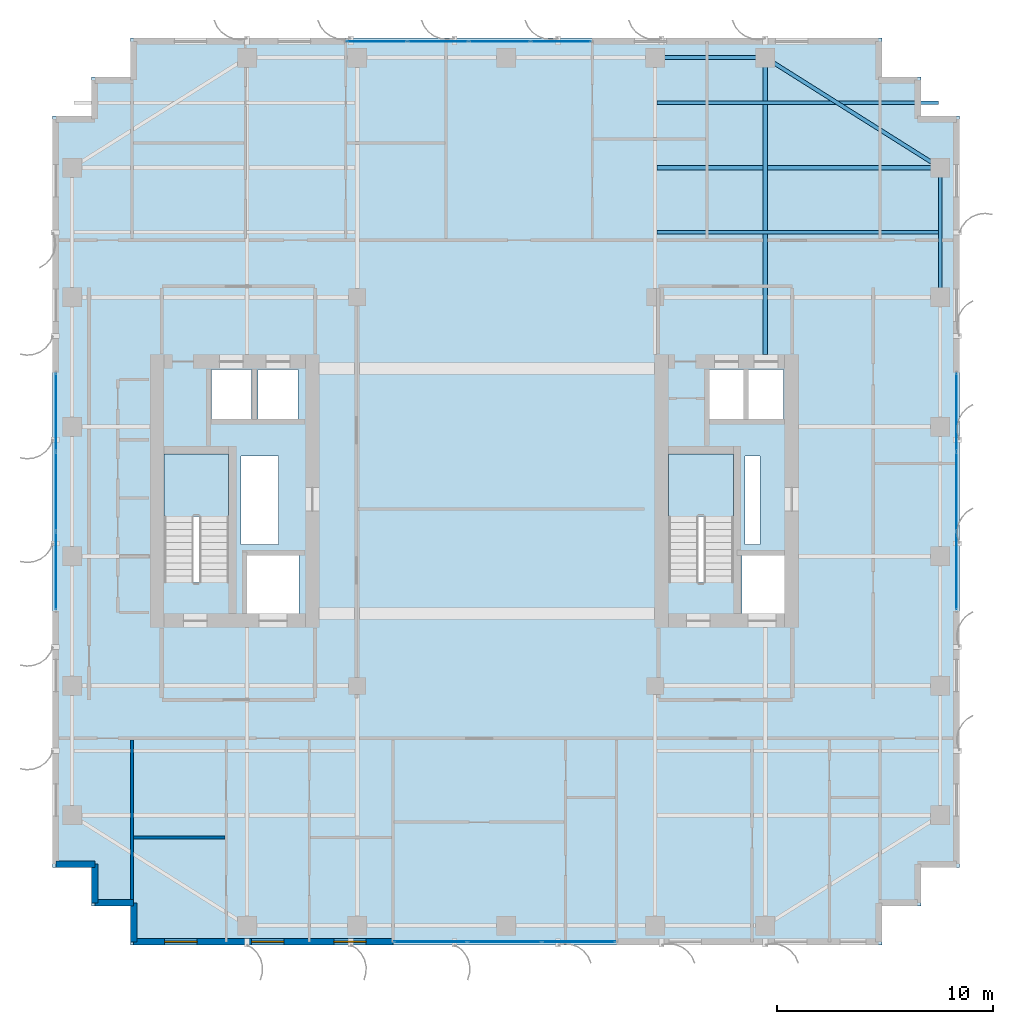
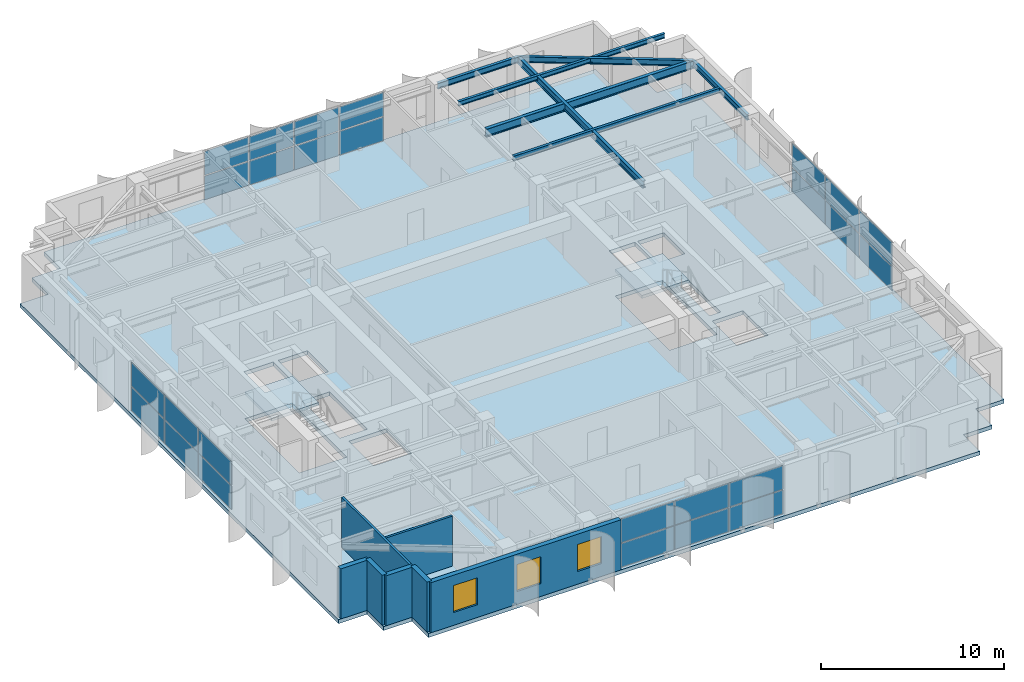
# One storey, part 14 of 22: 26 plates, 7 beams, 7 walls, 3 slabs, 3 windows, 3 openings, 6 elements without a shape of their own.
"""IFC4 building model written with IfcOpenShell, lengths in metres."""

from ifc_helpers import new_model, si_unit, direction, frame, frame_2d, origin, origin_2d, place, context, subcontext, project, spatial, polyline, rectangle, i_section, outline, extrude, source, transform, mapped, material, layer, layer_set, material_profile, profile_set, type_object, element, fill, aggregate, save


model = new_model("IFC4")

# Units and contexts
model_context = context("Model", 3, precision=1e-05, world=origin(), true_north=direction((0.0, 1.0)))
body_context = subcontext(model_context, "Body", "Model", "MODEL_VIEW")
ifc_project = project(units=[si_unit("LENGTHUNIT", "METRE"), si_unit("AREAUNIT", "SQUARE_METRE"), si_unit("VOLUMEUNIT", "CUBIC_METRE"), si_unit("PLANEANGLEUNIT", "RADIAN"), si_unit("MASSUNIT", "GRAM", prefix="KILO")], contexts=[model_context])

# Site, building, storey
site_placement = place(None, origin())
site = spatial("IfcSite", under=ifc_project, at=site_placement, CompositionType="ELEMENT")
building_placement = place(site_placement, origin())
building = spatial("IfcBuilding", under=site, at=building_placement, Name="Khoralis Quay Care Tower", CompositionType="ELEMENT")
storey_placement = place(building_placement, frame((0.0, 0.0, 180.89990234375)))
storey = spatial("IfcBuildingStorey", under=building, at=storey_placement, Name="L47", CompositionType="ELEMENT", Elevation=180.89990234375)

# Beams
ifc_material_1 = material(Name="Steel S355", Category="steel")
ifc_material_profile_1 = material_profile(ifc_material_1, i_section(OverallWidth=0.179931640625, OverallDepth=0.39990234375, WebThickness=0.008544921875, FlangeThickness=0.013427734375, FilletRadius=0.02099609375, at=origin_2d()), Name="Steel S355")
ifc_profile_set_1 = profile_set([ifc_material_profile_1], Name="Steel S355")
beam_type_1 = type_object("IfcBeamType", Name="BM-IPE400", PredefinedType="SPANDREL", material=ifc_profile_set_1)
shared_shape_1 = source(origin(), body_context, "Body", "SweptSolid", [
    extrude(i_section(OverallWidth=0.179931640625, OverallDepth=0.39990234375, WebThickness=0.008544921875, FlangeThickness=0.013427734375, FilletRadius=0.02099609375, at=origin_2d()), origin(), (0.0, 0.0, 1.0), 6.0),
])
beam_1_placement = place(storey_placement, frame((44.10009765625, 30.0, 3.14013671875), z_axis=(0.0, 1.0, 0.0), x_axis=(-1.0, 0.0, 0.0)))
element("IfcBeam", 1, at=beam_1_placement, inside=storey, type_object=beam_type_1, Name="BM-TSP-L47-18", PredefinedType="SPANDREL", context=body_context, shape_type="MappedRepresentation", body=[
    mapped(shared_shape_1, transform((0.0, 0.0, 0.0), scale=1.0)),
])
shared_shape_2 = source(origin(), body_context, "Body", "SweptSolid", [
    extrude(i_section(OverallWidth=0.179931640625, OverallDepth=0.39990234375, WebThickness=0.008544921875, FlangeThickness=0.013427734375, FilletRadius=0.02099609375, at=origin_2d()), origin(), (0.0, 0.0, 1.0), 5.10009765625),
])
beam_2_placement = place(storey_placement, frame((30.89990234375, 41.10009765625, 3.14013671875), z_axis=(1.0, 0.0, 0.0), x_axis=(0.0, 1.0, 0.0)))
element("IfcBeam", 2, at=beam_2_placement, inside=storey, type_object=beam_type_1, Name="BM-TSP-L47-08", PredefinedType="SPANDREL", context=body_context, shape_type="MappedRepresentation", body=[
    mapped(shared_shape_2, transform((0.0, 0.0, 0.0), scale=1.0)),
])
shared_shape_3 = source(origin(), body_context, "Body", "SweptSolid", [
    extrude(i_section(OverallWidth=0.179931640625, OverallDepth=0.39990234375, WebThickness=0.008544921875, FlangeThickness=0.013427734375, FilletRadius=0.02099609375, at=origin_2d()), origin(), (0.0, 0.0, 1.0), 9.572021484375),
])
beam_3_placement = place(storey_placement, frame((36.0, 41.10009765625, 3.14013671875), z_axis=(0.846231136359, -0.532815975602, 0.0), x_axis=(0.532815975602, 0.846231136359, 0.0)))
element("IfcBeam", 3, at=beam_3_placement, inside=storey, type_object=beam_type_1, Name="BM-TCR-L47-22", PredefinedType="SPANDREL", context=body_context, shape_type="MappedRepresentation", body=[
    mapped(shared_shape_3, transform((0.0, 0.0, 0.0), scale=1.0)),
])
ifc_material_profile_2 = material_profile(ifc_material_1, i_section(OverallWidth=0.208984375, OverallDepth=0.532958984375, WebThickness=0.01025390625, FlangeThickness=0.015625, FilletRadius=0.01611328125, at=origin_2d()), Name="Steel S355")
ifc_profile_set_2 = profile_set([ifc_material_profile_2], Name="Steel S355")
beam_type_2 = type_object("IfcBeamType", Name="BM-W530X92", PredefinedType="BEAM", material=ifc_profile_set_2)
shared_shape_4 = source(origin(), body_context, "Body", "SweptSolid", [
    extrude(i_section(OverallWidth=0.208984375, OverallDepth=0.532958984375, WebThickness=0.01025390625, FlangeThickness=0.015625, FilletRadius=0.01611328125, at=origin_2d()), origin(), (0.0, 0.0, 1.0), 13.1162109375),
])
beam_4_placement = place(storey_placement, frame((30.98388671875, 36.0, 3.073486328125), z_axis=(1.0, 0.0, 0.0), x_axis=(0.0, 1.0, 0.0)))
element("IfcBeam", 4, at=beam_4_placement, inside=storey, type_object=beam_type_2, Name="BM-TGXE-L47-360", PredefinedType="BEAM", context=body_context, shape_type="MappedRepresentation", body=[
    mapped(shared_shape_4, transform((0.0, 0.0, 0.0), scale=1.0)),
])
ifc_material_profile_3 = material_profile(ifc_material_1, i_section(OverallWidth=0.19189453125, OverallDepth=0.462890625, WebThickness=0.010498046875, FlangeThickness=0.017578125, FilletRadius=0.014892578125, at=origin_2d()), Name="Steel S355")
ifc_profile_set_3 = profile_set([ifc_material_profile_3], Name="Steel S355")
beam_type_3 = type_object("IfcBeamType", Name="BM-W460X89", PredefinedType="BEAM", material=ifc_profile_set_3)
shared_shape_5 = source(origin(), body_context, "Body", "SweptSolid", [
    extrude(i_section(OverallWidth=0.19189453125, OverallDepth=0.462890625, WebThickness=0.010498046875, FlangeThickness=0.017578125, FilletRadius=0.014892578125, at=origin_2d()), origin(), (0.0, 0.0, 1.0), 13.752197265625),
])
beam_5_placement = place(storey_placement, frame((36.0, 27.347900390625, 3.108642578125), z_axis=(0.0, 1.0, 0.0), x_axis=(-1.0, 0.0, 0.0)))
element("IfcBeam", 5, at=beam_5_placement, inside=storey, type_object=beam_type_3, Name="BM-TGYN-L47-360", PredefinedType="BEAM", context=body_context, shape_type="MappedRepresentation", body=[
    mapped(shared_shape_5, transform((0.0, 0.0, 0.0), scale=1.0)),
])
ifc_material_profile_4 = material_profile(ifc_material_1, i_section(OverallWidth=0.1650390625, OverallDepth=0.31005859375, WebThickness=0.005859375, FlangeThickness=0.009765625, FilletRadius=0.011962890625, at=origin_2d()), Name="Steel S355")
ifc_profile_set_4 = profile_set([ifc_material_profile_4], Name="Steel S355")
beam_type_4 = type_object("IfcBeamType", Name="BM-W310X39", PredefinedType="JOIST", material=ifc_profile_set_4)
shared_shape_6 = source(origin(), body_context, "Body", "SweptSolid", [
    extrude(i_section(OverallWidth=0.1650390625, OverallDepth=0.31005859375, WebThickness=0.005859375, FlangeThickness=0.009765625, FilletRadius=0.011962890625, at=origin_2d()), origin(), (0.0, 0.0, 1.0), 13.0400390625),
])
for number, where, z_axis, x_axis, name in (
    (6, (30.98388671875, 33.0, 3.18505859375), (1.0, 0.0, 0.0), (0.0, 1.0, 0.0), "BM-TJS-L47-26"),
    (7, (30.98388671875, 39.0, 3.18505859375), (1.0, 0.0, 0.0), (0.0, 1.0, 0.0), "BM-TJS-L47-28"),
):
    element("IfcBeam", number, at=place(storey_placement, frame(where, z_axis=z_axis, x_axis=x_axis)), inside=storey, type_object=beam_type_4, Name=name, PredefinedType="JOIST", context=body_context, shape_type="MappedRepresentation", body=[
        mapped(shared_shape_6, transform((0.0, 0.0, 0.0), scale=1.0)),
    ])

# Stair, slab
ifc_material_2 = material(Name="Precast concrete C45/55", Category="concrete")
stair_type = type_object("IfcStairType", Name="ST-TWR-DOGLEG-1400", PredefinedType="HALF_TURN_STAIR", material=ifc_material_2)
stair_1_placement = place(storey_placement, origin())
stair_1 = element("IfcStair", 8, at=stair_1_placement, inside=storey, type_object=stair_type, Name="L47 West Core Exit Stair ST-T1", PredefinedType="HALF_TURN_STAIR")
ifc_layer_1 = layer(ifc_material_2, 0.199951171875)
ifc_layer_set_1 = layer_set([ifc_layer_1], Name="Precast concrete C45/55")
slab_type_1 = type_object("IfcSlabType", Name="SLB-LANDING-200", PredefinedType="LANDING", material=ifc_layer_set_1)
slab_1_placement = place(storey_placement, frame((0.0, 0.0, 1.60009765625)))
slab_1 = element("IfcSlab", 9, at=slab_1_placement, type_object=slab_type_1, Name="ST-T1 landing 1", PredefinedType="LANDING", context=body_context, shape_type="SweptSolid", body=[
    extrude(outline(polyline([(11.14990234375, 19.840087890625), (11.14990234375, 22.75), (8.14990234375, 22.75), (8.14990234375, 19.840087890625), (11.14990234375, 19.840087890625)])), origin(), (0.0, 0.0, 1.0), 0.199951171875),
])
aggregate(stair_1, [slab_1])

stair_2_placement = place(storey_placement, origin())
stair_2 = element("IfcStair", 10, at=stair_2_placement, inside=storey, type_object=stair_type, Name="L47 East Core Exit Stair ST-T2", PredefinedType="HALF_TURN_STAIR")
slab_2_placement = place(storey_placement, frame((0.0, 0.0, 1.60009765625)))
slab_2 = element("IfcSlab", 11, at=slab_2_placement, type_object=slab_type_1, Name="ST-T2 landing 1", PredefinedType="LANDING", context=body_context, shape_type="SweptSolid", body=[
    extrude(outline(polyline([(34.52001953125, 19.840087890625), (34.52001953125, 22.75), (31.52001953125, 22.75), (31.52001953125, 19.840087890625), (34.52001953125, 19.840087890625)])), origin(), (0.0, 0.0, 1.0), 0.199951171875),
])
aggregate(stair_2, [slab_2])

# Slab
ifc_material_3 = material(Name="Concrete C40/50", Category="concrete")
ifc_layer_2 = layer(ifc_material_3, 0.260009765625)
ifc_layer_set_2 = layer_set([ifc_layer_2], Name="Concrete C40/50")
slab_type_2 = type_object("IfcSlabType", Name="SLB-TWR-260", PredefinedType="FLOOR", material=ifc_layer_set_2)
slab_3_placement = place(storey_placement, frame((0.0, 0.0, -0.260009765625)))
element("IfcSlab", 12, at=slab_3_placement, inside=storey, type_object=slab_type_2, Name="Tower Floor Slab L47", PredefinedType="FLOOR", context=body_context, shape_type="SweptSolid", body=[
    extrude(outline(polyline([(6.60009765625, 0.0), (41.39990234375, 0.0), (41.39990234375, 1.800048828125), (43.199951171875, 1.800048828125), (43.199951171875, 3.60009765625), (45.0, 3.60009765625), (45.0, 38.39990234375), (43.199951171875, 38.39990234375), (43.199951171875, 40.199951171875), (41.39990234375, 40.199951171875), (41.39990234375, 42.0), (6.60009765625, 42.0), (6.60009765625, 40.199951171875), (4.800048828125, 40.199951171875), (4.800048828125, 38.39990234375), (3.0, 38.39990234375), (3.0, 3.60009765625), (4.800048828125, 3.60009765625), (4.800048828125, 1.800048828125), (6.60009765625, 1.800048828125), (6.60009765625, 0.0)]), holes=[polyline([(11.14990234375, 16.800048828125), (11.14990234375, 22.75), (8.14990234375, 22.75), (8.14990234375, 16.800048828125), (11.14990234375, 16.800048828125)]), polyline([(34.52001953125, 16.800048828125), (34.52001953125, 22.75), (31.52001953125, 22.75), (31.52001953125, 16.800048828125), (34.52001953125, 16.800048828125)]), polyline([(12.0, 15.35009765625), (14.39990234375, 15.35009765625), (14.39990234375, 18.050048828125), (12.0, 18.050048828125), (12.0, 15.35009765625)]), polyline([(34.919921875, 15.35009765625), (36.8798828125, 15.35009765625), (36.8798828125, 18.050048828125), (34.919921875, 18.050048828125), (34.919921875, 15.35009765625)]), polyline([(10.35009765625, 24.35009765625), (12.199951171875, 24.35009765625), (12.199951171875, 26.64990234375), (10.35009765625, 26.64990234375), (10.35009765625, 24.35009765625)]), polyline([(33.3798828125, 24.35009765625), (35.030029296875, 24.35009765625), (35.030029296875, 26.64990234375), (33.3798828125, 26.64990234375), (33.3798828125, 24.35009765625)]), polyline([(12.5, 24.35009765625), (14.35009765625, 24.35009765625), (14.35009765625, 26.64990234375), (12.5, 26.64990234375), (12.5, 24.35009765625)]), polyline([(35.199951171875, 24.35009765625), (36.85009765625, 24.35009765625), (36.85009765625, 26.64990234375), (35.199951171875, 26.64990234375), (35.199951171875, 24.35009765625)]), polyline([(11.719970703125, 18.550048828125), (13.449951171875, 18.550048828125), (13.449951171875, 22.64990234375), (11.719970703125, 22.64990234375), (11.719970703125, 18.550048828125)]), polyline([(35.050048828125, 18.550048828125), (35.75, 18.550048828125), (35.75, 22.64990234375), (35.050048828125, 22.64990234375), (35.050048828125, 18.550048828125)])]), origin(), (0.0, 0.0, 1.0), 0.260009765625),
])

# Curtain wall, plates
ifc_material_4 = material(Name="Pale anodised aluminium", Category="aluminium")
ifc_layer_3 = layer(ifc_material_4, 0.159912109375)
ifc_layer_set_3 = layer_set([ifc_layer_3], Name="Pale anodised aluminium")
curtain_wall_type = type_object("IfcCurtainWallType", Name="CW-SYS-Z3", PredefinedType="NOTDEFINED", material=ifc_layer_set_3)
curtain_wall_1_placement = place(storey_placement, origin())
curtain_wall_1 = element("IfcCurtainWall", 13, at=curtain_wall_1_placement, inside=storey, type_object=curtain_wall_type, Name="L47 Unitised Curtain Wall CW-L47-P1-E5", PredefinedType="NOTDEFINED")
ifc_material_5 = material(Name="Low-E solar-control double glazing", Category="glass")
ifc_layer_4 = layer(ifc_material_5, 0.031982421875)
ifc_layer_set_4 = layer_set([ifc_layer_4], Name="Low-E solar-control double glazing")
plate_type = type_object("IfcPlateType", Name="PNL-VIS-32", PredefinedType="CURTAIN_PANEL", material=ifc_layer_set_4)
shared_shape_7 = source(origin(), body_context, "Body", "SweptSolid", [
    extrude(rectangle(XDim=3.590087890625, YDim=0.028076171875, at=origin_2d()), origin(), (0.0, 0.0, 1.0), 1.580078125),
])
plate_1_placement = place(storey_placement, frame((44.85009765625, 17.3349609375, 0.06005859375), z_axis=(0.0, 0.0, 1.0), x_axis=(0.0, 1.0, 0.0)))
plate_1 = element("IfcPlate", 14, at=plate_1_placement, type_object=plate_type, Name="CW3 panel 1.1", PredefinedType="CURTAIN_PANEL", context=body_context, shape_type="MappedRepresentation", body=[
    mapped(shared_shape_7, transform((0.0, 0.0, 0.0), scale=1.0)),
])
plate_2_placement = place(storey_placement, frame((44.85009765625, 17.3349609375, 1.699951171875), z_axis=(0.0, 0.0, 1.0), x_axis=(0.0, 1.0, 0.0)))
plate_2 = element("IfcPlate", 15, at=plate_2_placement, type_object=plate_type, Name="CW3 panel 1.2", PredefinedType="CURTAIN_PANEL", context=body_context, shape_type="MappedRepresentation", body=[
    mapped(shared_shape_7, transform((0.0, 0.0, 0.0), scale=1.0)),
])
plate_3_placement = place(storey_placement, frame((44.85009765625, 24.6650390625, 0.06005859375), z_axis=(0.0, 0.0, 1.0), x_axis=(0.0, 1.0, 0.0)))
plate_3 = element("IfcPlate", 16, at=plate_3_placement, type_object=plate_type, Name="CW3 panel 3.1", PredefinedType="CURTAIN_PANEL", context=body_context, shape_type="MappedRepresentation", body=[
    mapped(shared_shape_7, transform((0.0, 0.0, 0.0), scale=1.0)),
])
plate_4_placement = place(storey_placement, frame((44.85009765625, 24.6650390625, 1.699951171875), z_axis=(0.0, 0.0, 1.0), x_axis=(0.0, 1.0, 0.0)))
plate_4 = element("IfcPlate", 17, at=plate_4_placement, type_object=plate_type, Name="CW3 panel 3.2", PredefinedType="CURTAIN_PANEL", context=body_context, shape_type="MappedRepresentation", body=[
    mapped(shared_shape_7, transform((0.0, 0.0, 0.0), scale=1.0)),
])

curtain_wall_2_placement = place(storey_placement, origin())
curtain_wall_2 = element("IfcCurtainWall", 18, at=curtain_wall_2_placement, inside=storey, type_object=curtain_wall_type, Name="L47 Unitised Curtain Wall CW-L47-P1-E15", PredefinedType="NOTDEFINED")
plate_5_placement = place(storey_placement, frame((3.14990234375, 24.6650390625, 0.06005859375), z_axis=(0.0, 0.0, 1.0), x_axis=(0.0, -1.0, 0.0)))
plate_5 = element("IfcPlate", 19, at=plate_5_placement, type_object=plate_type, Name="CW3 panel 1.1", PredefinedType="CURTAIN_PANEL", context=body_context, shape_type="MappedRepresentation", body=[
    mapped(shared_shape_7, transform((0.0, 0.0, 0.0), scale=1.0)),
])
plate_6_placement = place(storey_placement, frame((3.14990234375, 24.6650390625, 1.699951171875), z_axis=(0.0, 0.0, 1.0), x_axis=(0.0, -1.0, 0.0)))
plate_6 = element("IfcPlate", 20, at=plate_6_placement, type_object=plate_type, Name="CW3 panel 1.2", PredefinedType="CURTAIN_PANEL", context=body_context, shape_type="MappedRepresentation", body=[
    mapped(shared_shape_7, transform((0.0, 0.0, 0.0), scale=1.0)),
])
plate_7_placement = place(storey_placement, frame((3.14990234375, 17.3349609375, 0.06005859375), z_axis=(0.0, 0.0, 1.0), x_axis=(0.0, -1.0, 0.0)))
plate_7 = element("IfcPlate", 21, at=plate_7_placement, type_object=plate_type, Name="CW3 panel 3.1", PredefinedType="CURTAIN_PANEL", context=body_context, shape_type="MappedRepresentation", body=[
    mapped(shared_shape_7, transform((0.0, 0.0, 0.0), scale=1.0)),
])
plate_8_placement = place(storey_placement, frame((3.14990234375, 17.3349609375, 1.699951171875), z_axis=(0.0, 0.0, 1.0), x_axis=(0.0, -1.0, 0.0)))
plate_8 = element("IfcPlate", 22, at=plate_8_placement, type_object=plate_type, Name="CW3 panel 3.2", PredefinedType="CURTAIN_PANEL", context=body_context, shape_type="MappedRepresentation", body=[
    mapped(shared_shape_7, transform((0.0, 0.0, 0.0), scale=1.0)),
])

# Plate
shared_shape_8 = source(origin(), body_context, "Body", "SweptSolid", [
    extrude(rectangle(XDim=3.6201171875, YDim=0.028076171875, at=origin_2d()), origin(), (0.0, 0.0, 1.0), 1.580078125),
])
plate_9_placement = place(storey_placement, frame((44.85009765625, 21.0, 0.06005859375), z_axis=(0.0, 0.0, 1.0), x_axis=(0.0, 1.0, 0.0)))
plate_9 = element("IfcPlate", 23, at=plate_9_placement, type_object=plate_type, Name="CW3 panel 2.1", PredefinedType="CURTAIN_PANEL", context=body_context, shape_type="MappedRepresentation", body=[
    mapped(shared_shape_8, transform((0.0, 0.0, 0.0), scale=1.0)),
])

plate_10_placement = place(storey_placement, frame((44.85009765625, 21.0, 1.699951171875), z_axis=(0.0, 0.0, 1.0), x_axis=(0.0, 1.0, 0.0)))
plate_10 = element("IfcPlate", 24, at=plate_10_placement, type_object=plate_type, Name="CW3 panel 2.2", PredefinedType="CURTAIN_PANEL", context=body_context, shape_type="MappedRepresentation", body=[
    mapped(shared_shape_8, transform((0.0, 0.0, 0.0), scale=1.0)),
])

aggregate(curtain_wall_1, [plate_1, plate_2, plate_9, plate_10, plate_3, plate_4])

plate_11_placement = place(storey_placement, frame((3.14990234375, 21.0, 0.06005859375), z_axis=(0.0, 0.0, 1.0), x_axis=(0.0, -1.0, 0.0)))
plate_11 = element("IfcPlate", 25, at=plate_11_placement, type_object=plate_type, Name="CW3 panel 2.1", PredefinedType="CURTAIN_PANEL", context=body_context, shape_type="MappedRepresentation", body=[
    mapped(shared_shape_8, transform((0.0, 0.0, 0.0), scale=1.0)),
])

plate_12_placement = place(storey_placement, frame((3.14990234375, 21.0, 1.699951171875), z_axis=(0.0, 0.0, 1.0), x_axis=(0.0, -1.0, 0.0)))
plate_12 = element("IfcPlate", 26, at=plate_12_placement, type_object=plate_type, Name="CW3 panel 2.2", PredefinedType="CURTAIN_PANEL", context=body_context, shape_type="MappedRepresentation", body=[
    mapped(shared_shape_8, transform((0.0, 0.0, 0.0), scale=1.0)),
])

aggregate(curtain_wall_2, [plate_5, plate_6, plate_11, plate_12, plate_7, plate_8])

# Curtain wall, plates
curtain_wall_3_placement = place(storey_placement, origin())
curtain_wall_3 = element("IfcCurtainWall", 27, at=curtain_wall_3_placement, inside=storey, type_object=curtain_wall_type, Name="L47 Unitised Curtain Wall CW-L47-P1-E0", PredefinedType="NOTDEFINED")
shared_shape_9 = source(origin(), body_context, "Body", "SweptSolid", [
    extrude(rectangle(XDim=3.360107421875, YDim=0.028076171875, at=origin_2d()), origin(), (0.0, 0.0, 1.0), 1.580078125),
])
plate_13_placement = place(storey_placement, frame((20.489990234375, 0.14990234375, 0.06005859375), z_axis=(0.0, 0.0, 1.0), x_axis=(1.0, 0.0, 0.0)))
plate_13 = element("IfcPlate", 28, at=plate_13_placement, type_object=plate_type, Name="CW3 panel 1.1", PredefinedType="CURTAIN_PANEL", context=body_context, shape_type="MappedRepresentation", body=[
    mapped(shared_shape_9, transform((0.0, 0.0, 0.0), scale=1.0)),
])
plate_14_placement = place(storey_placement, frame((20.489990234375, 0.14990234375, 1.699951171875), z_axis=(0.0, 0.0, 1.0), x_axis=(1.0, 0.0, 0.0)))
plate_14 = element("IfcPlate", 29, at=plate_14_placement, type_object=plate_type, Name="CW3 panel 1.2", PredefinedType="CURTAIN_PANEL", context=body_context, shape_type="MappedRepresentation", body=[
    mapped(shared_shape_9, transform((0.0, 0.0, 0.0), scale=1.0)),
])
plate_15_placement = place(storey_placement, frame((27.360107421875, 0.14990234375, 0.06005859375), z_axis=(0.0, 0.0, 1.0), x_axis=(1.0, 0.0, 0.0)))
plate_15 = element("IfcPlate", 30, at=plate_15_placement, type_object=plate_type, Name="CW3 panel 3.1", PredefinedType="CURTAIN_PANEL", context=body_context, shape_type="MappedRepresentation", body=[
    mapped(shared_shape_9, transform((0.0, 0.0, 0.0), scale=1.0)),
])
plate_16_placement = place(storey_placement, frame((27.360107421875, 0.14990234375, 1.699951171875), z_axis=(0.0, 0.0, 1.0), x_axis=(1.0, 0.0, 0.0)))
plate_16 = element("IfcPlate", 31, at=plate_16_placement, type_object=plate_type, Name="CW3 panel 3.2", PredefinedType="CURTAIN_PANEL", context=body_context, shape_type="MappedRepresentation", body=[
    mapped(shared_shape_9, transform((0.0, 0.0, 0.0), scale=1.0)),
])
shared_shape_10 = source(origin(), body_context, "Body", "SweptSolid", [
    extrude(rectangle(XDim=3.389892578125, YDim=0.028076171875, at=origin_2d()), origin(), (0.0, 0.0, 1.0), 1.580078125),
])
plate_17_placement = place(storey_placement, frame((23.925048828125, 0.14990234375, 0.06005859375), z_axis=(0.0, 0.0, 1.0), x_axis=(1.0, 0.0, 0.0)))
plate_17 = element("IfcPlate", 32, at=plate_17_placement, type_object=plate_type, Name="CW3 panel 2.1", PredefinedType="CURTAIN_PANEL", context=body_context, shape_type="MappedRepresentation", body=[
    mapped(shared_shape_10, transform((0.0, 0.0, 0.0), scale=1.0)),
])
plate_18_placement = place(storey_placement, frame((23.925048828125, 0.14990234375, 1.699951171875), z_axis=(0.0, 0.0, 1.0), x_axis=(1.0, 0.0, 0.0)))
plate_18 = element("IfcPlate", 33, at=plate_18_placement, type_object=plate_type, Name="CW3 panel 2.2", PredefinedType="CURTAIN_PANEL", context=body_context, shape_type="MappedRepresentation", body=[
    mapped(shared_shape_10, transform((0.0, 0.0, 0.0), scale=1.0)),
])
aggregate(curtain_wall_3, [plate_13, plate_14, plate_17, plate_18, plate_15, plate_16])

curtain_wall_4_placement = place(storey_placement, origin())
curtain_wall_4 = element("IfcCurtainWall", 34, at=curtain_wall_4_placement, inside=storey, type_object=curtain_wall_type, Name="L47 Unitised Curtain Wall CW-L47-P1-E10", PredefinedType="NOTDEFINED")
shared_shape_11 = source(origin(), body_context, "Body", "SweptSolid", [
    extrude(rectangle(XDim=2.762939453125, YDim=0.028076171875, at=origin_2d()), origin(), (0.0, 0.0, 1.0), 1.580078125),
])
plate_19_placement = place(storey_placement, frame((26.53759765625, 41.85009765625, 0.06005859375), z_axis=(0.0, 0.0, 1.0), x_axis=(-1.0, 0.0, 0.0)))
plate_19 = element("IfcPlate", 35, at=plate_19_placement, type_object=plate_type, Name="CW3 panel 1.1", PredefinedType="CURTAIN_PANEL", context=body_context, shape_type="MappedRepresentation", body=[
    mapped(shared_shape_11, transform((0.0, 0.0, 0.0), scale=1.0)),
])
plate_20_placement = place(storey_placement, frame((26.53759765625, 41.85009765625, 1.699951171875), z_axis=(0.0, 0.0, 1.0), x_axis=(-1.0, 0.0, 0.0)))
plate_20 = element("IfcPlate", 36, at=plate_20_placement, type_object=plate_type, Name="CW3 panel 1.2", PredefinedType="CURTAIN_PANEL", context=body_context, shape_type="MappedRepresentation", body=[
    mapped(shared_shape_11, transform((0.0, 0.0, 0.0), scale=1.0)),
])
plate_21_placement = place(storey_placement, frame((18.008544921875, 41.85009765625, 0.06005859375), z_axis=(0.0, 0.0, 1.0), x_axis=(-1.0, 0.0, 0.0)))
plate_21 = element("IfcPlate", 37, at=plate_21_placement, type_object=plate_type, Name="CW3 panel 4.1", PredefinedType="CURTAIN_PANEL", context=body_context, shape_type="MappedRepresentation", body=[
    mapped(shared_shape_11, transform((0.0, 0.0, 0.0), scale=1.0)),
])
plate_22_placement = place(storey_placement, frame((18.008544921875, 41.85009765625, 1.699951171875), z_axis=(0.0, 0.0, 1.0), x_axis=(-1.0, 0.0, 0.0)))
plate_22 = element("IfcPlate", 38, at=plate_22_placement, type_object=plate_type, Name="CW3 panel 4.2", PredefinedType="CURTAIN_PANEL", context=body_context, shape_type="MappedRepresentation", body=[
    mapped(shared_shape_11, transform((0.0, 0.0, 0.0), scale=1.0)),
])
shared_shape_12 = source(origin(), body_context, "Body", "SweptSolid", [
    extrude(rectangle(XDim=2.79296875, YDim=0.028076171875, at=origin_2d()), origin(), (0.0, 0.0, 1.0), 1.580078125),
])
plate_23_placement = place(storey_placement, frame((23.699462890625, 41.85009765625, 0.06005859375), z_axis=(0.0, 0.0, 1.0), x_axis=(-1.0, 0.0, 0.0)))
plate_23 = element("IfcPlate", 39, at=plate_23_placement, type_object=plate_type, Name="CW3 panel 2.1", PredefinedType="CURTAIN_PANEL", context=body_context, shape_type="MappedRepresentation", body=[
    mapped(shared_shape_12, transform((0.0, 0.0, 0.0), scale=1.0)),
])
plate_24_placement = place(storey_placement, frame((23.699462890625, 41.85009765625, 1.699951171875), z_axis=(0.0, 0.0, 1.0), x_axis=(-1.0, 0.0, 0.0)))
plate_24 = element("IfcPlate", 40, at=plate_24_placement, type_object=plate_type, Name="CW3 panel 2.2", PredefinedType="CURTAIN_PANEL", context=body_context, shape_type="MappedRepresentation", body=[
    mapped(shared_shape_12, transform((0.0, 0.0, 0.0), scale=1.0)),
])
plate_25_placement = place(storey_placement, frame((20.846435546875, 41.85009765625, 0.06005859375), z_axis=(0.0, 0.0, 1.0), x_axis=(-1.0, 0.0, 0.0)))
plate_25 = element("IfcPlate", 41, at=plate_25_placement, type_object=plate_type, Name="CW3 panel 3.1", PredefinedType="CURTAIN_PANEL", context=body_context, shape_type="MappedRepresentation", body=[
    mapped(shared_shape_12, transform((0.0, 0.0, 0.0), scale=1.0)),
])
plate_26_placement = place(storey_placement, frame((20.846435546875, 41.85009765625, 1.699951171875), z_axis=(0.0, 0.0, 1.0), x_axis=(-1.0, 0.0, 0.0)))
plate_26 = element("IfcPlate", 42, at=plate_26_placement, type_object=plate_type, Name="CW3 panel 3.2", PredefinedType="CURTAIN_PANEL", context=body_context, shape_type="MappedRepresentation", body=[
    mapped(shared_shape_12, transform((0.0, 0.0, 0.0), scale=1.0)),
])
aggregate(curtain_wall_4, [plate_19, plate_20, plate_23, plate_24, plate_25, plate_26, plate_21, plate_22])

# Wall, openings, windows
ifc_layer_5 = layer(ifc_material_2, 0.300048828125)
ifc_layer_set_5 = layer_set([ifc_layer_5], Name="Precast concrete C45/55")
wall_type_1 = type_object("IfcWallType", Name="WL-EXT-REF-300", PredefinedType="SOLIDWALL", material=ifc_layer_set_5)
wall_1_placement = place(storey_placement, frame((6.75, 0.14990234375, 0.0), z_axis=(0.0, 0.0, 1.0), x_axis=(1.0, 0.0, 0.0)))
wall_1 = element("IfcWall", 43, at=wall_1_placement, inside=storey, type_object=wall_type_1, Name="L47 External Facade Wall WL-EXT-L47-P1-E0A", PredefinedType="SOLIDWALL", context=body_context, shape_type="SweptSolid", body=[
    extrude(rectangle(XDim=12.0, YDim=0.300048828125, at=frame_2d((6.0, 0.0))), origin(), (0.0, 0.0, 1.0), 3.340087890625),
])
opening_1_placement = place(wall_1_placement, frame((1.4375, 0.0, 0.85009765625)))
opening_1 = element("IfcOpeningElement", 44, at=opening_1_placement, cuts=wall_1, Name="Opening W3", PredefinedType="OPENING", context=body_context, shape_type="SweptSolid", body=[
    extrude(rectangle(XDim=1.5, YDim=1.800048828125, at=frame_2d((0.75, 0.89990234375))), frame((0.0, 0.16015625, 0.0), z_axis=(0.0, -1.0, 0.0), x_axis=(1.0, 0.0, 0.0)), (0.0, 0.0, 1.0), 0.320068359375),
])
opening_2_placement = place(wall_1_placement, frame((5.45654296875, 0.0, 0.85009765625)))
opening_2 = element("IfcOpeningElement", 45, at=opening_2_placement, cuts=wall_1, Name="Opening W3", PredefinedType="OPENING", context=body_context, shape_type="SweptSolid", body=[
    extrude(rectangle(XDim=1.5, YDim=1.800048828125, at=frame_2d((0.75, 0.89990234375))), frame((0.0, 0.16015625, 0.0), z_axis=(0.0, -1.0, 0.0), x_axis=(1.0, 0.0, 0.0)), (0.0, 0.0, 1.0), 0.320068359375),
])
opening_3_placement = place(wall_1_placement, frame((9.26904296875, 0.0, 0.85009765625)))
opening_3 = element("IfcOpeningElement", 46, at=opening_3_placement, cuts=wall_1, Name="Opening W3", PredefinedType="OPENING", context=body_context, shape_type="SweptSolid", body=[
    extrude(rectangle(XDim=1.5, YDim=1.800048828125, at=frame_2d((0.75, 0.89990234375))), frame((0.0, 0.16015625, 0.0), z_axis=(0.0, -1.0, 0.0), x_axis=(1.0, 0.0, 0.0)), (0.0, 0.0, 1.0), 0.320068359375),
])
window_type = type_object("IfcWindowType", Name="WN-CLIN-1500X1800", PartitioningType="SINGLE_PANEL", PredefinedType="WINDOW", material=ifc_material_5)
shared_shape_13 = source(origin(), body_context, "Body", "SweptSolid", [
    extrude(rectangle(XDim=1.5, YDim=1.800048828125, at=frame_2d((0.75, 0.89990234375))), frame((0.0, 0.030029296875, 0.0), z_axis=(0.0, -1.0, 0.0), x_axis=(1.0, 0.0, 0.0)), (0.0, 0.0, 1.0), 0.06005859375),
])
window_1_placement = place(opening_1_placement, origin())
window_1 = element("IfcWindow", 47, at=window_1_placement, inside=storey, type_object=window_type, Name="WN-L47-P1-E0A Facade Window 01", OverallHeight=1.800048828125, OverallWidth=1.5, PartitioningType="SINGLE_PANEL", PredefinedType="WINDOW", context=body_context, shape_type="MappedRepresentation", body=[
    mapped(shared_shape_13, transform((0.0, 0.0, 0.0), scale=1.0)),
])
fill(opening_1, window_1)
window_2_placement = place(opening_2_placement, origin())
window_2 = element("IfcWindow", 48, at=window_2_placement, inside=storey, type_object=window_type, Name="WN-L47-P1-E0A Facade Window 02", OverallHeight=1.800048828125, OverallWidth=1.5, PartitioningType="SINGLE_PANEL", PredefinedType="WINDOW", context=body_context, shape_type="MappedRepresentation", body=[
    mapped(shared_shape_13, transform((0.0, 0.0, 0.0), scale=1.0)),
])
fill(opening_2, window_2)
window_3_placement = place(opening_3_placement, origin())
window_3 = element("IfcWindow", 49, at=window_3_placement, inside=storey, type_object=window_type, Name="WN-L47-P1-E0A Facade Window 03", OverallHeight=1.800048828125, OverallWidth=1.5, PartitioningType="SINGLE_PANEL", PredefinedType="WINDOW", context=body_context, shape_type="MappedRepresentation", body=[
    mapped(shared_shape_13, transform((0.0, 0.0, 0.0), scale=1.0)),
])
fill(opening_3, window_3)

# Walls
for number, where, z_axis, x_axis, name in (
    (50, (3.14990234375, 3.75, 0.0), (0.0, 0.0, 1.0), (1.0, 0.0, 0.0), "L47 External Facade Wall WL-EXT-L47-P1-C16"),
    (51, (4.949951171875, 3.75, 0.0), (0.0, 0.0, 1.0), (0.0, -1.0, 0.0), "L47 External Facade Wall WL-EXT-L47-P1-C17"),
    (52, (4.949951171875, 1.949951171875, 0.0), (0.0, 0.0, 1.0), (1.0, 0.0, 0.0), "L47 External Facade Wall WL-EXT-L47-P1-C18"),
    (53, (6.75, 1.949951171875, 0.0), (0.0, 0.0, 1.0), (0.0, -1.0, 0.0), "L47 External Facade Wall WL-EXT-L47-P1-C19"),
):
    element("IfcWall", number, at=place(storey_placement, frame(where, z_axis=z_axis, x_axis=x_axis)), inside=storey, type_object=wall_type_1, Name=name, PredefinedType="SOLIDWALL", context=body_context, shape_type="SweptSolid", body=[
        extrude(rectangle(XDim=1.800048828125, YDim=0.300048828125, at=frame_2d((0.89990234375, 0.0))), origin(), (0.0, 0.0, 1.0), 3.340087890625),
    ])
ifc_material_6 = material(Name="Moisture-resistant gypsum and ceramic tile")
ifc_layer_6 = layer(ifc_material_6, 0.280029296875)
ifc_layer_set_6 = layer_set([ifc_layer_6], Name="Moisture-resistant gypsum and ceramic tile")
wall_type_2 = type_object("IfcWallType", Name="WL-PLUMB-280", PredefinedType="PLUMBINGWALL", material=ifc_layer_set_6)
wall_2_placement = place(storey_placement, frame((6.7451171875, 4.98193359375, 0.0), z_axis=(0.0, 0.0, 1.0), x_axis=(1.0, 0.0, 0.0)))
element("IfcWall", 54, at=wall_2_placement, inside=storey, type_object=wall_type_2, Name="L47 2BR 0 Left Split", PredefinedType="PLUMBINGWALL", context=body_context, shape_type="SweptSolid", body=[
    extrude(rectangle(XDim=4.227294921875, YDim=0.139892578125, at=frame_2d((2.11376953125, 0.0))), origin(), (0.0, 0.0, 1.0), 3.340087890625),
])
ifc_material_7 = material(Name="Gypsum plasterboard on acoustic metal stud")
ifc_layer_7 = layer(ifc_material_7, 0.139892578125)
ifc_layer_set_7 = layer_set([ifc_layer_7], Name="Gypsum plasterboard on acoustic metal stud")
wall_type_3 = type_object("IfcWallType", Name="WL-UNIT-140", PredefinedType="PARTITIONING", material=ifc_layer_set_7)
wall_3_placement = place(storey_placement, frame((6.679931640625, 1.945068359375, 0.0), z_axis=(0.0, 0.0, 1.0), x_axis=(0.0, 1.0, 0.0)))
element("IfcWall", 55, at=wall_3_placement, inside=storey, type_object=wall_type_3, Name="L47 SB Demising Wall 0", PredefinedType="PARTITIONING", context=body_context, shape_type="SweptSolid", body=[
    extrude(rectangle(XDim=7.557373046875, YDim=0.139892578125, at=frame_2d((3.77880859375, 0.0))), origin(), (0.0, 0.0, 1.0), 3.340087890625),
])

save(model, "model.ifc")
